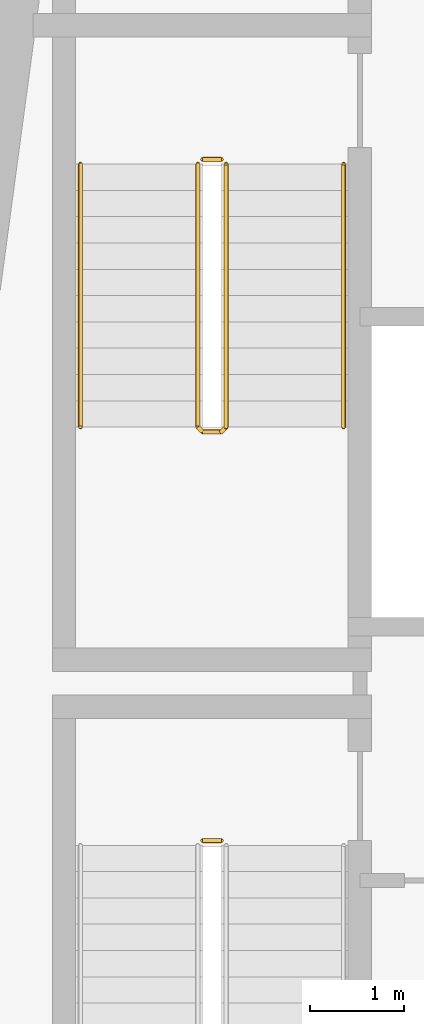
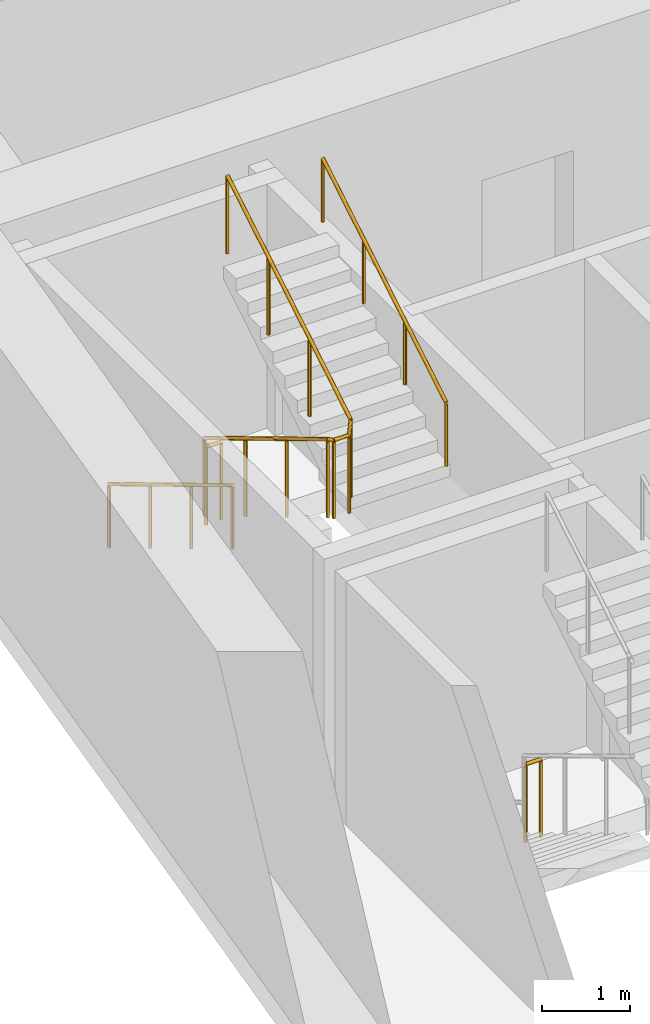
# One storey, part 10 of 13: 5 railings.
"""IFC4 building model written with IfcOpenShell, lengths in metres."""

from ifc_helpers import new_model, si_unit, direction, frame, origin, origin_2d, place, context, subcontext, project, spatial, circle, extrude, material, type_object, element, save


model = new_model("IFC4")

# Units and contexts
model_context = context("Model", 3, precision=1e-05, world=origin(), true_north=direction((0.0, 1.0)))
body_context = subcontext(model_context, "Body", "Model", "MODEL_VIEW")
ifc_project = project(units=[si_unit("LENGTHUNIT", "METRE"), si_unit("AREAUNIT", "SQUARE_METRE"), si_unit("VOLUMEUNIT", "CUBIC_METRE"), si_unit("PLANEANGLEUNIT", "RADIAN"), si_unit("MASSUNIT", "GRAM", prefix="KILO")], contexts=[model_context])

# Site, building, storey
site_placement = place(None, origin())
site = spatial("IfcSite", under=ifc_project, at=site_placement, CompositionType="ELEMENT")
building_placement = place(site_placement, origin())
building = spatial("IfcBuilding", under=site, at=building_placement, Name="Candeia Pilgrim Tower and Theatre", CompositionType="ELEMENT")
storey_placement = place(building_placement, frame((0.0, 0.0, 170.0)))
storey = spatial("IfcBuildingStorey", under=building, at=storey_placement, Name="L40", CompositionType="ELEMENT", Elevation=170.0)

# Railings
ifc_material_1 = material(Name="Stainless steel balustrade", Category="steel")
railing_type_1 = type_object("IfcRailingType", Name="RL-GUARD-1100", PredefinedType="GUARDRAIL", material=ifc_material_1)
railing_1_placement = place(storey_placement, frame((91.152099609375, 122.52490234375, 0.0)))
element("IfcRailing", 1, at=railing_1_placement, inside=storey, type_object=railing_type_1, Name="L40 ST1 stair guard 2", PredefinedType="GUARDRAIL", context=body_context, shape_type="SweptSolid", body=[
    extrude(circle(Radius=0.02392578125, at=origin_2d()), frame((0.0, 0.0, 1.076171875), z_axis=(1.0, 0.0, 0.0), x_axis=(0.0, 1.0, 0.0)), (0.0, 0.0, 1.0), 0.199951171875),
    extrude(circle(Radius=0.02099609375, at=origin_2d()), origin(), (0.0, 0.0, 1.0), 1.052001953125),
    extrude(circle(Radius=0.02099609375, at=origin_2d()), frame((0.199951171875, 0.0, 0.0)), (0.0, 0.0, 1.0), 1.052001953125),
])
railing_2_placement = place(storey_placement, frame((91.10205078125, 129.72509765625, 0.168212890625)))
element("IfcRailing", 2, at=railing_2_placement, inside=storey, type_object=railing_type_1, Name="L40 ST2 stair guard 1", PredefinedType="GUARDRAIL", context=body_context, shape_type="SweptSolid", body=[
    extrude(circle(Radius=0.02392578125, at=origin_2d()), frame((0.0, 0.0, 1.076171875), z_axis=(0.0, -0.857242210791, 0.514913383045), x_axis=(1.0, 0.0, 0.0)), (0.0, 0.0, 1.0), 3.266357421875),
    extrude(circle(Radius=0.02392578125, at=origin_2d()), frame((0.0, -2.800048828125, 2.7578125), z_axis=(0.707106781187, -0.707106781187, 0.0), x_axis=(0.707106781187, 0.707106781187, 0.0)), (0.0, 0.0, 1.0), 0.07080078125),
    extrude(circle(Radius=0.02392578125, at=origin_2d()), frame((0.050048828125, -2.85009765625, 2.7578125), z_axis=(1.0, 0.0, 0.0), x_axis=(0.0, 1.0, 0.0)), (0.0, 0.0, 1.0), 0.199951171875),
    extrude(circle(Radius=0.02392578125, at=origin_2d()), frame((0.25, -2.85009765625, 2.7578125), z_axis=(0.274582412415, 0.274582412415, 0.921525364591), x_axis=(-0.707106781187, 0.707106781187, 0.0)), (0.0, 0.0, 1.0), 0.182373046875),
    extrude(circle(Radius=0.02392578125, at=origin_2d()), frame((0.300048828125, -2.800048828125, 2.92578125), z_axis=(0.0, 0.857242210791, 0.514913383045), x_axis=(-1.0, 0.0, 0.0)), (0.0, 0.0, 1.0), 3.266357421875),
    extrude(circle(Radius=0.02099609375, at=origin_2d()), origin(), (0.0, 0.0, 1.0), 1.052001953125),
    extrude(circle(Radius=0.02099609375, at=origin_2d()), frame((0.0, -0.933349609375, 0.560546875)), (0.0, 0.0, 1.0), 1.052001953125),
    extrude(circle(Radius=0.02099609375, at=origin_2d()), frame((0.0, -1.86669921875, 1.121337890625)), (0.0, 0.0, 1.0), 1.052001953125),
    extrude(circle(Radius=0.02099609375, at=origin_2d()), frame((0.0, -2.800048828125, 1.681884765625)), (0.0, 0.0, 1.0), 1.052001953125),
    extrude(circle(Radius=0.02099609375, at=origin_2d()), frame((0.050048828125, -2.85009765625, 1.681884765625)), (0.0, 0.0, 1.0), 1.052001953125),
    extrude(circle(Radius=0.02099609375, at=origin_2d()), frame((0.25, -2.85009765625, 1.681884765625)), (0.0, 0.0, 1.0), 1.052001953125),
    extrude(circle(Radius=0.02099609375, at=origin_2d()), frame((0.300048828125, -2.800048828125, 1.849853515625)), (0.0, 0.0, 1.0), 1.052001953125),
    extrude(circle(Radius=0.02099609375, at=origin_2d()), frame((0.300048828125, -1.86669921875, 2.410400390625)), (0.0, 0.0, 1.0), 1.052001953125),
    extrude(circle(Radius=0.02099609375, at=origin_2d()), frame((0.300048828125, -0.933349609375, 2.97119140625)), (0.0, 0.0, 1.0), 1.052001953125),
    extrude(circle(Radius=0.02099609375, at=origin_2d()), frame((0.300048828125, 0.0, 3.53173828125)), (0.0, 0.0, 1.0), 1.052001953125),
])
railing_3_placement = place(storey_placement, frame((91.152099609375, 129.77490234375, 0.0)))
element("IfcRailing", 3, at=railing_3_placement, inside=storey, type_object=railing_type_1, Name="L40 ST2 stair guard 2", PredefinedType="GUARDRAIL", context=body_context, shape_type="SweptSolid", body=[
    extrude(circle(Radius=0.02392578125, at=origin_2d()), frame((0.0, 0.0, 1.076171875), z_axis=(1.0, 0.0, 0.0), x_axis=(0.0, 1.0, 0.0)), (0.0, 0.0, 1.0), 0.199951171875),
    extrude(circle(Radius=0.02099609375, at=origin_2d()), origin(), (0.0, 0.0, 1.0), 1.052001953125),
    extrude(circle(Radius=0.02099609375, at=origin_2d()), frame((0.199951171875, 0.0, 0.0)), (0.0, 0.0, 1.0), 1.052001953125),
])
ifc_material_2 = material(Name="Stainless steel handrail", Category="steel")
railing_type_2 = type_object("IfcRailingType", Name="RL-HANDRAIL-900", PredefinedType="HANDRAIL", material=ifc_material_2)
railing_4_placement = place(storey_placement, frame((89.85205078125, 129.72509765625, 0.168212890625)))
element("IfcRailing", 4, at=railing_4_placement, inside=storey, type_object=railing_type_2, Name="L40 ST2 stair handrail 1", PredefinedType="HANDRAIL", context=body_context, shape_type="SweptSolid", body=[
    extrude(circle(Radius=0.02392578125, at=origin_2d()), frame((0.0, 0.0, 0.8759765625), z_axis=(0.0, -0.857242210791, 0.514913383045), x_axis=(1.0, 0.0, 0.0)), (0.0, 0.0, 1.0), 3.266357421875),
    extrude(circle(Radius=0.02099609375, at=origin_2d()), origin(), (0.0, 0.0, 1.0), 0.851806640625),
    extrude(circle(Radius=0.02099609375, at=origin_2d()), frame((0.0, -0.933349609375, 0.560546875)), (0.0, 0.0, 1.0), 0.851806640625),
    extrude(circle(Radius=0.02099609375, at=origin_2d()), frame((0.0, -1.86669921875, 1.121337890625)), (0.0, 0.0, 1.0), 0.851806640625),
    extrude(circle(Radius=0.02099609375, at=origin_2d()), frame((0.0, -2.800048828125, 1.681884765625)), (0.0, 0.0, 1.0), 0.851806640625),
])
railing_5_placement = place(storey_placement, frame((92.652099609375, 126.925048828125, 2.01806640625)))
element("IfcRailing", 5, at=railing_5_placement, inside=storey, type_object=railing_type_2, Name="L40 ST2 stair handrail 2", PredefinedType="HANDRAIL", context=body_context, shape_type="SweptSolid", body=[
    extrude(circle(Radius=0.02392578125, at=origin_2d()), frame((0.0, 0.0, 0.8759765625), z_axis=(0.0, 0.857242210791, 0.514913383045), x_axis=(-1.0, 0.0, 0.0)), (0.0, 0.0, 1.0), 3.266357421875),
    extrude(circle(Radius=0.02099609375, at=origin_2d()), origin(), (0.0, 0.0, 1.0), 0.851806640625),
    extrude(circle(Radius=0.02099609375, at=origin_2d()), frame((0.0, 0.933349609375, 0.560546875)), (0.0, 0.0, 1.0), 0.851806640625),
    extrude(circle(Radius=0.02099609375, at=origin_2d()), frame((0.0, 1.86669921875, 1.121337890625)), (0.0, 0.0, 1.0), 0.851806640625),
    extrude(circle(Radius=0.02099609375, at=origin_2d()), frame((0.0, 2.800048828125, 1.681884765625)), (0.0, 0.0, 1.0), 0.851806640625),
])

save(model, "model.ifc")
